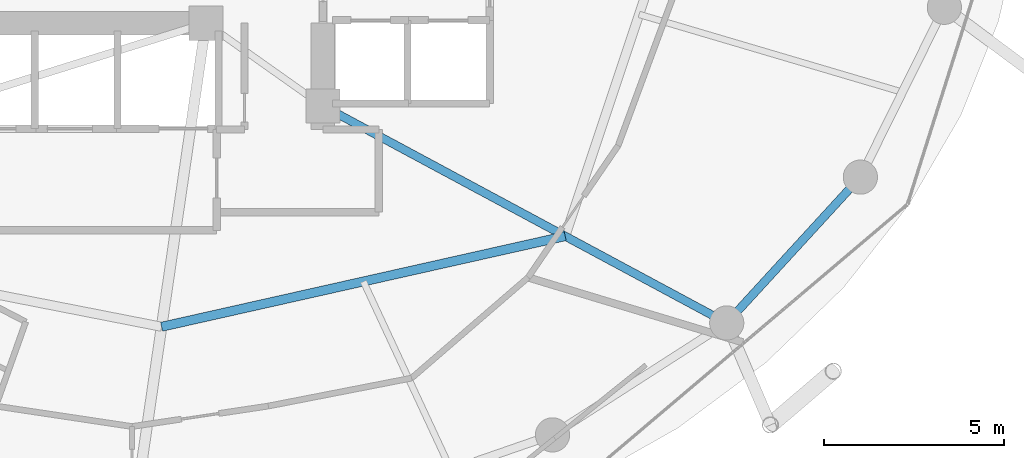
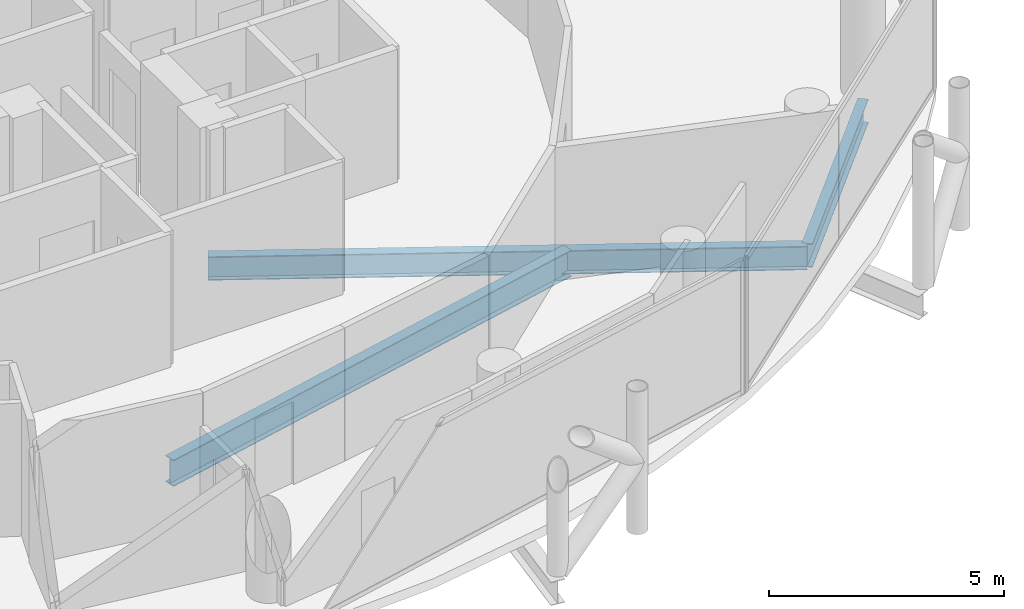
# One storey, part 9 of 26: 3 beams.
"""IFC4 building model written with IfcOpenShell, lengths in metres."""

from ifc_helpers import new_model, si_unit, direction, frame, origin, origin_2d, place, context, subcontext, project, spatial, i_section, extrude, material, material_profile, profile_set, type_object, element, save


model = new_model("IFC4")

# Units and contexts
model_context = context("Model", 3, precision=1e-05, world=origin(), true_north=direction((0.0, 1.0)))
body_context = subcontext(model_context, "Body", "Model", "MODEL_VIEW")
ifc_project = project(units=[si_unit("LENGTHUNIT", "METRE"), si_unit("AREAUNIT", "SQUARE_METRE"), si_unit("VOLUMEUNIT", "CUBIC_METRE"), si_unit("PLANEANGLEUNIT", "RADIAN"), si_unit("MASSUNIT", "GRAM", prefix="KILO")], contexts=[model_context])

# Site, building, storey
site_placement = place(None, origin())
site = spatial("IfcSite", under=ifc_project, at=site_placement, CompositionType="ELEMENT")
building_placement = place(site_placement, origin())
building = spatial("IfcBuilding", under=site, at=building_placement, Name="Nuhasar Tower", CompositionType="ELEMENT")
storey_placement = place(building_placement, frame((0.0, 0.0, 188.550048828125)))
storey = spatial("IfcBuildingStorey", under=building, at=storey_placement, Name="L46", CompositionType="ELEMENT", Elevation=188.550048828125)

# Beams
ifc_material = material(Name="Steel S355", Category="steel")
ifc_material_profile_1 = material_profile(ifc_material, i_section(OverallWidth=0.25390625, OverallDepth=0.68408203125, WebThickness=0.012451171875, FlangeThickness=0.018798828125, at=origin_2d()), Name="W27X94")
ifc_profile_set_1 = profile_set([ifc_material_profile_1], Name="Steel S355")
beam_type_1 = type_object("IfcBeamType", Name="BM-INRING-W27X94", PredefinedType="BEAM", material=ifc_profile_set_1)
beam_1_placement = place(storey_placement, frame((39.820068359375, 12.8701171875, -0.592041015625), z_axis=(0.975716159385, 0.219038755282, 0.0), x_axis=(-0.219038755282, 0.975716159385, 0.0)))
element("IfcBeam", 1, at=beam_1_placement, inside=storey, type_object=beam_type_1, Name="L46 Inner Header Beam 02", PredefinedType="BEAM", context=body_context, shape_type="SweptSolid", body=[
    extrude(i_section(OverallWidth=0.25390625, OverallDepth=0.68408203125, WebThickness=0.012451171875, FlangeThickness=0.018798828125, at=origin_2d()), origin(), (0.0, 0.0, 1.0), 11.48583984375),
])
ifc_material_profile_2 = material_profile(ifc_material, i_section(OverallWidth=0.22900390625, OverallDepth=0.612060546875, WebThickness=0.011962890625, FlangeThickness=0.01953125, at=origin_2d()), Name="W24X84")
ifc_profile_set_2 = profile_set([ifc_material_profile_2], Name="Steel S355")
beam_type_2 = type_object("IfcBeamType", Name="BM-RAD-W24X84", PredefinedType="BEAM", material=ifc_profile_set_2)
beam_2_placement = place(storey_placement, frame((44.300048828125, 19.0, -0.55615234375), z_axis=(0.880888386928, -0.473324043098, 0.0), x_axis=(0.473324043098, 0.880888386928, 0.0)))
element("IfcBeam", 2, at=beam_2_placement, inside=storey, type_object=beam_type_2, Name="L46 Radial Floor Girder 03", PredefinedType="BEAM", context=body_context, shape_type="SweptSolid", body=[
    extrude(i_section(OverallWidth=0.22900390625, OverallDepth=0.612060546875, WebThickness=0.011962890625, FlangeThickness=0.01953125, at=origin_2d()), origin(), (0.0, 0.0, 1.0), 12.726806640625),
])
ifc_material_profile_3 = material_profile(ifc_material, i_section(OverallWidth=0.22998046875, OverallDepth=0.616943359375, WebThickness=0.01318359375, FlangeThickness=0.022216796875, at=origin_2d()), Name="W24X94")
ifc_profile_set_3 = profile_set([ifc_material_profile_3], Name="Steel S355")
beam_type_3 = type_object("IfcBeamType", Name="BM-RING-W24X94", PredefinedType="SPANDREL", material=ifc_profile_set_3)
beam_3_placement = place(storey_placement, frame((55.510986328125, 12.97607421875, -0.55810546875), z_axis=(0.675676316545, 0.737198423262, 0.0), x_axis=(-0.737198423262, 0.675676316545, 0.0)))
element("IfcBeam", 3, at=beam_3_placement, inside=storey, type_object=beam_type_3, Name="L46 Perimeter Ring Spandrel 22", PredefinedType="SPANDREL", context=body_context, shape_type="SweptSolid", body=[
    extrude(i_section(OverallWidth=0.22998046875, OverallDepth=0.616943359375, WebThickness=0.01318359375, FlangeThickness=0.022216796875, at=origin_2d()), origin(), (0.0, 0.0, 1.0), 5.4921875),
])

save(model, "model.ifc")
